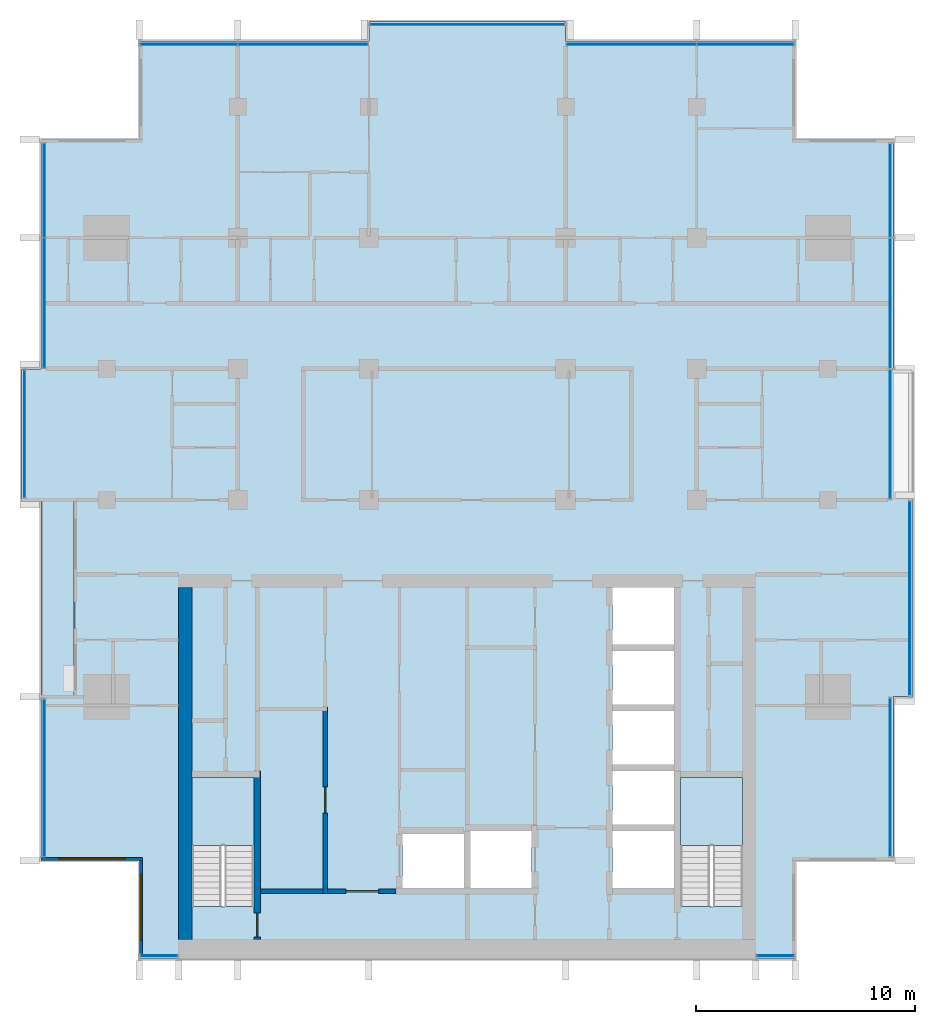
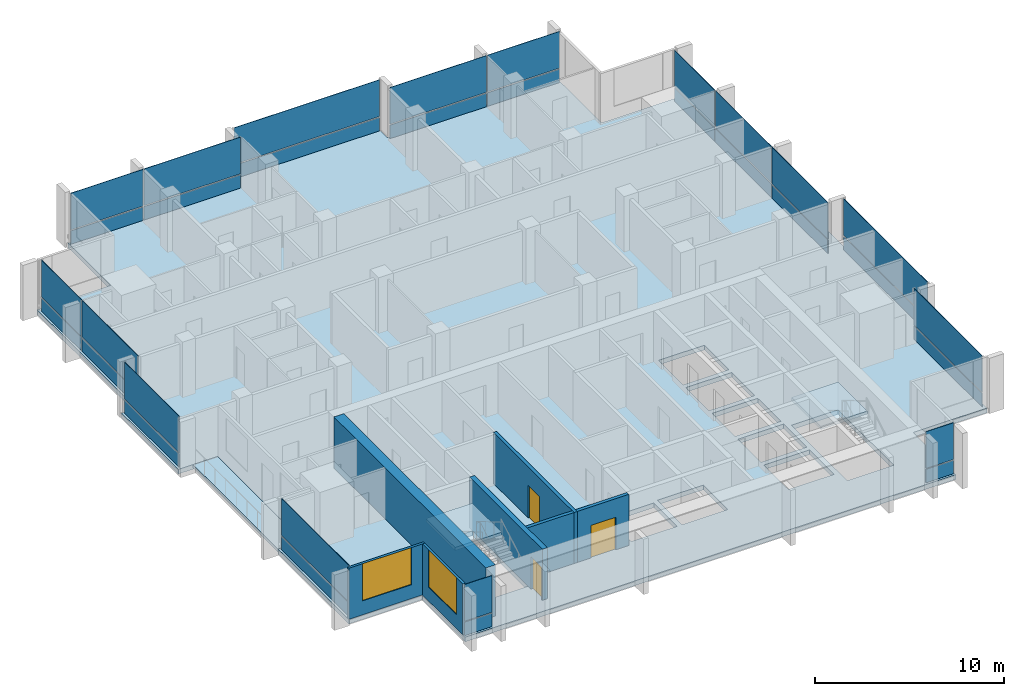
# One storey, part 6 of 16: 32 plates, 7 walls, 4 slabs, 3 doors, 2 windows, 5 openings, 13 elements without a shape of their own.
"""IFC4 building model written with IfcOpenShell, lengths in metres."""

import ifcopenshell
import ifcopenshell.guid

model = None  # the IFC model being written
_history = None  # IfcOwnerHistory: only IFC2X3 demands one
_inside = {}  # id of a spatial element -> (the spatial element, [elements in it])
_under = {}  # id of a project, library or spatial element -> (it, [spatial elements below it])
_declared = {}  # id of a project -> (the project, [libraries it declares])
_typed = {}  # id of a type object -> (the type object, [elements of that type])
_made_of = {}  # id of a material, layer set ... -> (it, [elements and type objects made of it])


def new_model(schema):
    """Start an empty IFC model of exactly this schema.

    Asked for "IFC4X3", IfcOpenShell would pick the latest addendum, in which some entities
    have other attributes; the version numbers below select the first issue.
    IFC2X3 requires an IfcOwnerHistory on every rooted entity: one is made here for all.
    """
    global model, _history
    if schema == "IFC4X3":
        model = ifcopenshell.file(schema_version=(4, 3, 0, 0))
    else:
        model = ifcopenshell.file(schema=schema)
    _inside.clear()
    _under.clear()
    _declared.clear()
    _typed.clear()
    _made_of.clear()
    _history = None
    if model.schema == "IFC2X3":
        org = make("IfcOrganization", Name="unknown")
        user = make(
            "IfcPersonAndOrganization",
            ThePerson=make("IfcPerson", FamilyName="unknown"),
            TheOrganization=org,
        )
        app = make(
            "IfcApplication",
            ApplicationDeveloper=org,
            Version="unknown",
            ApplicationFullName="unknown",
            ApplicationIdentifier="unknown",
        )
        _history = make(
            "IfcOwnerHistory",
            OwningUser=user,
            OwningApplication=app,
            ChangeAction="ADDED",
            CreationDate=0,
        )
    return model


def make(cls, **values):
    """One entity of the class cls with the attributes given. An attribute that is None is left unset."""
    return model.create_entity(
        cls, **{name: value for name, value in values.items() if value is not None}
    )


def rooted(cls, **values):
    """An entity with a GlobalId (a new one), such as an element, a storey or a relation."""
    return make(cls, GlobalId=ifcopenshell.guid.new(), OwnerHistory=_history, **values)


def si_unit(unit_type, name, prefix=None):
    """IfcSIUnit, for example si_unit("LENGTHUNIT", "METRE", prefix="MILLI")."""
    return make("IfcSIUnit", UnitType=unit_type, Prefix=prefix, Name=name)


def assignment(units):
    """IfcUnitAssignment: the units of a project."""
    return None if units is None else make("IfcUnitAssignment", Units=units)


def point(xyz):
    """IfcCartesianPoint."""
    return None if xyz is None else make("IfcCartesianPoint", Coordinates=xyz)


def direction(xyz):
    """IfcDirection."""
    return None if xyz is None else make("IfcDirection", DirectionRatios=xyz)


def frame(location, z_axis=None, x_axis=None):
    """IfcAxis2Placement3D, a coordinate frame: its origin and axes. An axis left out is left unset."""
    return make(
        "IfcAxis2Placement3D",
        Location=point(location),
        Axis=direction(z_axis),
        RefDirection=direction(x_axis),
    )


def frame_2d(location, x_axis=None):
    """IfcAxis2Placement2D, a coordinate frame in the plane: its origin and x axis."""
    return make(
        "IfcAxis2Placement2D", Location=point(location), RefDirection=direction(x_axis)
    )


def origin():
    """The frame at (0, 0, 0) with its axes left unset."""
    return frame((0.0, 0.0, 0.0))


def origin_2d():
    """The frame at (0, 0) in the plane with its x axis left unset."""
    return frame_2d((0.0, 0.0))


def place(relative_to, where):
    """IfcLocalPlacement: puts the frame where relative to a parent placement (None: the world)."""
    return make(
        "IfcLocalPlacement", PlacementRelTo=relative_to, RelativePlacement=where
    )


def context(
    kind, dimensions, precision=None, world=None, true_north=None, identifier=None
):
    """IfcGeometricRepresentationContext, for example the 3D "Model" context."""
    return make(
        "IfcGeometricRepresentationContext",
        ContextIdentifier=identifier,
        ContextType=kind,
        CoordinateSpaceDimension=dimensions,
        Precision=precision,
        WorldCoordinateSystem=world,
        TrueNorth=true_north,
    )


def subcontext(parent, identifier, kind, view, scale=None):
    """IfcGeometricRepresentationSubContext, for example "Body" below "Model"."""
    return make(
        "IfcGeometricRepresentationSubContext",
        ContextIdentifier=identifier,
        ContextType=kind,
        ParentContext=parent,
        TargetScale=scale,
        TargetView=view,
    )


def project(units=None, contexts=None):
    """IfcProject with its units and contexts."""
    return rooted(
        "IfcProject",
        Name="project",
        RepresentationContexts=contexts,
        UnitsInContext=assignment(units),
    )


def spatial(cls, under=None, at=None, **own):
    """A site, building, storey or space (cls), placed at a placement, below another one or the project."""
    s = rooted(cls, ObjectPlacement=at, **own)
    if under is not None:
        _under.setdefault(under.id(), (under, []))[1].append(s)
    return s


def polyline(points):
    """IfcPolyline through the points."""
    return make("IfcPolyline", Points=[point(p) for p in points])


def profile(cls, at=None, kind="AREA", **sizes):
    """A parametric profile (cls). Its sizes go by their IFC names, for example OverallWidth=200.0."""
    return make(cls, ProfileType=kind, Position=at, **sizes)


def rectangle(**sizes):
    """IfcRectangleProfileDef."""
    return profile("IfcRectangleProfileDef", **sizes)


def outline(outer, holes=None, kind="AREA"):
    """IfcArbitraryClosedProfileDef: a profile drawn as a closed curve; with holes, ...WithVoids."""
    if holes is None:
        return make("IfcArbitraryClosedProfileDef", ProfileType=kind, OuterCurve=outer)
    return make(
        "IfcArbitraryProfileDefWithVoids",
        ProfileType=kind,
        OuterCurve=outer,
        InnerCurves=holes,
    )


def extrude(swept, where, along, depth):
    """IfcExtrudedAreaSolid: the profile swept, set in the frame where, extruded along a direction by depth."""
    return make(
        "IfcExtrudedAreaSolid",
        SweptArea=swept,
        Position=where,
        ExtrudedDirection=direction(along),
        Depth=depth,
    )


def shape(context_of_items, identifier, shape_type, items):
    """IfcShapeRepresentation: the items that make up one representation, for example the "Body"."""
    return make(
        "IfcShapeRepresentation",
        ContextOfItems=context_of_items,
        RepresentationIdentifier=identifier,
        RepresentationType=shape_type,
        Items=items,
    )


def material(Name=None, Category=None):
    """IfcMaterial."""
    return make("IfcMaterial", Name=Name, Category=Category)


def layer(
    of_material, thickness, ventilated=None, Name=None, Category=None, Priority=None
):
    """IfcMaterialLayer: one layer of a wall or slab, of a material (None: an air gap)."""
    return make(
        "IfcMaterialLayer",
        Material=of_material,
        LayerThickness=thickness,
        IsVentilated=ventilated,
        Name=Name,
        Category=Category,
        Priority=Priority,
    )


def layer_set(layers, Name=None):
    """IfcMaterialLayerSet."""
    return make("IfcMaterialLayerSet", MaterialLayers=layers, LayerSetName=Name)


def made_of(thing, what):
    """Note that an element or type object is made of a material, layer set ...; save() writes the relation."""
    if what is not None:
        _made_of.setdefault(what.id(), (what, []))[1].append(thing)
    return thing


def type_object(cls, material=None, **own):
    """A type object (cls), such as IfcWallType, which elements share."""
    return made_of(rooted(cls, **own), material)


def element(
    cls,
    number,
    at=None,
    inside=None,
    cuts=None,
    type_object=None,
    material=None,
    context=None,
    identifier="Body",
    shape_type=None,
    held_by="IfcProductDefinitionShape",
    body=None,
    shapes=None,
    **own,
):
    """One element of the class cls, such as IfcWall. Its Tag is "e" and its number.

    at: its placement. inside: the storey or other place that contains it. cuts: it is an
    opening in that element (IfcRelVoidsElement). A single representation is given by context,
    identifier, shape_type and body (its items); several are given by shapes. held_by: the class
    of the entity that holds the representations. save() writes the other relations.
    """
    e = rooted(cls, Tag="e%d" % number, ObjectPlacement=at, **own)
    if body is not None:
        shapes = [shape(context, identifier, shape_type, body)]
    if shapes is not None:
        e.Representation = make(held_by, Representations=shapes)
    if inside is not None:
        _inside.setdefault(inside.id(), (inside, []))[1].append(e)
    if cuts is not None:
        rooted(
            "IfcRelVoidsElement", RelatingBuildingElement=cuts, RelatedOpeningElement=e
        )
    if type_object is not None:
        _typed.setdefault(type_object.id(), (type_object, []))[1].append(e)
    return made_of(e, material)


def fill(opening, filler):
    """IfcRelFillsElement: the door or window that sits in an opening."""
    return rooted(
        "IfcRelFillsElement",
        RelatingOpeningElement=opening,
        RelatedBuildingElement=filler,
    )


def aggregate(whole, parts):
    """IfcRelAggregates: a whole, such as a stair, and the parts it consists of."""
    return rooted("IfcRelAggregates", RelatingObject=whole, RelatedObjects=parts)


def save(model, path):
    """Write the relations noted so far, then the file.

    IfcRelAggregates (storeys below a building ...), IfcRelContainedInSpatialStructure (elements
    in a storey), IfcRelDefinesByType, IfcRelAssociatesMaterial and IfcRelDeclares: one each for
    every whole, place, type object, material and project.
    """
    for whole, parts in _under.values():
        aggregate(whole, parts)
    for where, things in _inside.values():
        rooted(
            "IfcRelContainedInSpatialStructure",
            RelatedElements=things,
            RelatingStructure=where,
        )
    for kind, things in _typed.values():
        rooted("IfcRelDefinesByType", RelatedObjects=things, RelatingType=kind)
    for what, things in _made_of.values():
        rooted("IfcRelAssociatesMaterial", RelatedObjects=things, RelatingMaterial=what)
    for by, libraries in _declared.values():
        rooted("IfcRelDeclares", RelatingContext=by, RelatedDefinitions=libraries)
    model.write(path)


model = new_model("IFC4")

# Units and contexts
model_context = context("Model", 3, precision=1e-05, world=origin(), true_north=direction((0.0, 1.0)))
body_context = subcontext(model_context, "Body", "Model", "MODEL_VIEW")
ifc_project = project(units=[si_unit("LENGTHUNIT", "METRE"), si_unit("AREAUNIT", "SQUARE_METRE"), si_unit("VOLUMEUNIT", "CUBIC_METRE"), si_unit("PLANEANGLEUNIT", "RADIAN"), si_unit("MASSUNIT", "GRAM", prefix="KILO")], contexts=[model_context])

# Site, building, storey
site_placement = place(None, origin())
site = spatial("IfcSite", under=ifc_project, at=site_placement, CompositionType="ELEMENT")
building_placement = place(site_placement, origin())
building = spatial("IfcBuilding", under=site, at=building_placement, Name="Finial Court Residences", CompositionType="ELEMENT")
storey_placement = place(building_placement, frame((0.0, 0.0, 215.89990234375)))
storey = spatial("IfcBuildingStorey", under=building, at=storey_placement, Name="L54", CompositionType="ELEMENT", Elevation=215.89990234375)

# Slab
ifc_material_1 = material(Name="Concrete C35/45", Category="concrete")
ifc_layer_1 = layer(ifc_material_1, 0.199951171875)
ifc_layer_set_1 = layer_set([ifc_layer_1], Name="Balcony slab, Concrete C35/45 200")
slab_type_1 = type_object("IfcSlabType", Name="Balcony slab, Concrete C35/45 200", PredefinedType="FLOOR", material=ifc_layer_set_1)
slab_1_placement = place(storey_placement, frame((0.0, 0.0, -0.199951171875)))
element("IfcSlab", 1, at=slab_1_placement, inside=storey, type_object=slab_type_1, Name="Balcony L54-W2", PredefinedType="FLOOR", context=body_context, shape_type="SweptSolid", body=[
    extrude(outline(polyline([(-18.0, -13.5), (-18.0, -4.5), (-19.5, -4.5), (-19.5, -13.5), (-18.0, -13.5)])), origin(), (0.0, 0.0, 1.0), 0.199951171875),
])

# Curtain wall, plates
ifc_material_2 = material(Name="Bronze anodised aluminium", Category="aluminium")
curtain_wall_type = type_object("IfcCurtainWallType", Name="Unitised curtain wall, upper zones", PredefinedType="NOTDEFINED", material=ifc_material_2)
curtain_wall_1_placement = place(storey_placement, origin())
curtain_wall_1 = element("IfcCurtainWall", 2, at=curtain_wall_1_placement, inside=storey, type_object=curtain_wall_type, Name="E-L54-CW-N1", PredefinedType="NOTDEFINED")
ifc_layer_2 = layer(ifc_material_2, 0.035888671875)
ifc_layer_set_2 = layer_set([ifc_layer_2], Name="CW2 spandrel panel 36")
plate_type_1 = type_object("IfcPlateType", Name="CW2 spandrel panel 36", PredefinedType="CURTAIN_PANEL", material=ifc_layer_set_2)
plate_1_placement = place(storey_placement, frame((-12.735107421875, 16.35009765625, 0.0), z_axis=(0.0, 0.0, 1.0), x_axis=(1.0, 0.0, 0.0)))
plate_1 = element("IfcPlate", 3, at=plate_1_placement, type_object=plate_type_1, Name="CW2 spandrel 1.1", PredefinedType="CURTAIN_PANEL", context=body_context, shape_type="SweptSolid", body=[
    extrude(rectangle(XDim=4.409912109375, YDim=0.035888671875, at=origin_2d()), origin(), (0.0, 0.0, 1.0), 0.8701171875),
])
plate_2_placement = place(storey_placement, frame((-7.514892578125, 16.35009765625, 0.0), z_axis=(0.0, 0.0, 1.0), x_axis=(1.0, 0.0, 0.0)))
plate_2 = element("IfcPlate", 4, at=plate_2_placement, type_object=plate_type_1, Name="CW2 spandrel 2.1", PredefinedType="CURTAIN_PANEL", context=body_context, shape_type="SweptSolid", body=[
    extrude(rectangle(XDim=5.909912109375, YDim=0.035888671875, at=origin_2d()), origin(), (0.0, 0.0, 1.0), 0.8701171875),
])

# Curtain wall, plate
curtain_wall_2_placement = place(storey_placement, origin())
curtain_wall_2 = element("IfcCurtainWall", 5, at=curtain_wall_2_placement, inside=storey, type_object=curtain_wall_type, Name="E-L54-CW-N2", PredefinedType="NOTDEFINED")
plate_3_placement = place(storey_placement, frame((0.0, 17.25, 0.0), z_axis=(0.0, 0.0, 1.0), x_axis=(1.0, 0.0, 0.0)))
plate_3 = element("IfcPlate", 6, at=plate_3_placement, type_object=plate_type_1, Name="CW2 spandrel 1.1", PredefinedType="CURTAIN_PANEL", context=body_context, shape_type="SweptSolid", body=[
    extrude(rectangle(XDim=8.8798828125, YDim=0.035888671875, at=origin_2d()), origin(), (0.0, 0.0, 1.0), 0.8701171875),
])

# Curtain wall, plates
curtain_wall_3_placement = place(storey_placement, origin())
curtain_wall_3 = element("IfcCurtainWall", 7, at=curtain_wall_3_placement, inside=storey, type_object=curtain_wall_type, Name="E-L54-CW-N3", PredefinedType="NOTDEFINED")
plate_4_placement = place(storey_placement, frame((7.514892578125, 16.35009765625, 0.0), z_axis=(0.0, 0.0, 1.0), x_axis=(1.0, 0.0, 0.0)))
plate_4 = element("IfcPlate", 8, at=plate_4_placement, type_object=plate_type_1, Name="CW2 spandrel 1.1", PredefinedType="CURTAIN_PANEL", context=body_context, shape_type="SweptSolid", body=[
    extrude(rectangle(XDim=5.909912109375, YDim=0.035888671875, at=origin_2d()), origin(), (0.0, 0.0, 1.0), 0.8701171875),
])
plate_5_placement = place(storey_placement, frame((12.735107421875, 16.35009765625, 0.0), z_axis=(0.0, 0.0, 1.0), x_axis=(1.0, 0.0, 0.0)))
plate_5 = element("IfcPlate", 9, at=plate_5_placement, type_object=plate_type_1, Name="CW2 spandrel 2.1", PredefinedType="CURTAIN_PANEL", context=body_context, shape_type="SweptSolid", body=[
    extrude(rectangle(XDim=4.409912109375, YDim=0.035888671875, at=origin_2d()), origin(), (0.0, 0.0, 1.0), 0.8701171875),
])

# Curtain wall, plate
curtain_wall_4_placement = place(storey_placement, origin())
curtain_wall_4 = element("IfcCurtainWall", 10, at=curtain_wall_4_placement, inside=storey, type_object=curtain_wall_type, Name="E-L54-CW-E4", PredefinedType="NOTDEFINED")
plate_6_placement = place(storey_placement, frame((19.35009765625, -17.175048828125, 0.0), z_axis=(0.0, 0.0, 1.0), x_axis=(0.0, 1.0, 0.0)))
plate_6 = element("IfcPlate", 11, at=plate_6_placement, type_object=plate_type_1, Name="CW2 spandrel 1.1", PredefinedType="CURTAIN_PANEL", context=body_context, shape_type="SweptSolid", body=[
    extrude(rectangle(XDim=7.22998046875, YDim=0.035888671875, at=origin_2d()), origin(), (0.0, 0.0, 1.0), 0.8701171875),
])

curtain_wall_5_placement = place(storey_placement, origin())
curtain_wall_5 = element("IfcCurtainWall", 12, at=curtain_wall_5_placement, inside=storey, type_object=curtain_wall_type, Name="E-L54-CW-E5", PredefinedType="NOTDEFINED")
plate_7_placement = place(storey_placement, frame((20.25, -9.0, 0.0), z_axis=(0.0, 0.0, 1.0), x_axis=(0.0, 1.0, 0.0)))
plate_7 = element("IfcPlate", 13, at=plate_7_placement, type_object=plate_type_1, Name="CW2 spandrel 1.1", PredefinedType="CURTAIN_PANEL", context=body_context, shape_type="SweptSolid", body=[
    extrude(rectangle(XDim=8.8798828125, YDim=0.035888671875, at=origin_2d()), origin(), (0.0, 0.0, 1.0), 0.8701171875),
])

# Curtain wall, plates
curtain_wall_6_placement = place(storey_placement, origin())
curtain_wall_6 = element("IfcCurtainWall", 14, at=curtain_wall_6_placement, inside=storey, type_object=curtain_wall_type, Name="E-L54-CW-E6", PredefinedType="NOTDEFINED")
plate_8_placement = place(storey_placement, frame((19.35009765625, -1.485107421875, 0.0), z_axis=(0.0, 0.0, 1.0), x_axis=(0.0, 1.0, 0.0)))
plate_8 = element("IfcPlate", 15, at=plate_8_placement, type_object=plate_type_1, Name="CW2 spandrel 1.1", PredefinedType="CURTAIN_PANEL", context=body_context, shape_type="SweptSolid", body=[
    extrude(rectangle(XDim=5.909912109375, YDim=0.035888671875, at=origin_2d()), origin(), (0.0, 0.0, 1.0), 0.8701171875),
])
plate_9_placement = place(storey_placement, frame((19.35009765625, 4.5, 0.0), z_axis=(0.0, 0.0, 1.0), x_axis=(0.0, 1.0, 0.0)))
plate_9 = element("IfcPlate", 16, at=plate_9_placement, type_object=plate_type_1, Name="CW2 spandrel 2.1", PredefinedType="CURTAIN_PANEL", context=body_context, shape_type="SweptSolid", body=[
    extrude(rectangle(XDim=5.93994140625, YDim=0.035888671875, at=origin_2d()), origin(), (0.0, 0.0, 1.0), 0.8701171875),
])
plate_10_placement = place(storey_placement, frame((19.35009765625, 9.659912109375, 0.0), z_axis=(0.0, 0.0, 1.0), x_axis=(0.0, 1.0, 0.0)))
plate_10 = element("IfcPlate", 17, at=plate_10_placement, type_object=plate_type_1, Name="CW2 spandrel 3.1", PredefinedType="CURTAIN_PANEL", context=body_context, shape_type="SweptSolid", body=[
    extrude(rectangle(XDim=4.260009765625, YDim=0.035888671875, at=origin_2d()), origin(), (0.0, 0.0, 1.0), 0.8701171875),
])

# Curtain wall, plate
curtain_wall_7_placement = place(storey_placement, origin())
curtain_wall_7 = element("IfcCurtainWall", 18, at=curtain_wall_7_placement, inside=storey, type_object=curtain_wall_type, Name="E-L54-CW-S7", PredefinedType="NOTDEFINED")
plate_11_placement = place(storey_placement, frame((-14.10009765625, -25.35009765625, 0.0), z_axis=(0.0, 0.0, 1.0), x_axis=(1.0, 0.0, 0.0)))
plate_11 = element("IfcPlate", 19, at=plate_11_placement, type_object=plate_type_1, Name="CW2 spandrel 1.1", PredefinedType="CURTAIN_PANEL", context=body_context, shape_type="SweptSolid", body=[
    extrude(rectangle(XDim=1.679931640625, YDim=0.035888671875, at=origin_2d()), origin(), (0.0, 0.0, 1.0), 0.8701171875),
])

curtain_wall_8_placement = place(storey_placement, origin())
curtain_wall_8 = element("IfcCurtainWall", 20, at=curtain_wall_8_placement, inside=storey, type_object=curtain_wall_type, Name="E-L54-CW-S8", PredefinedType="NOTDEFINED")
plate_12_placement = place(storey_placement, frame((14.10009765625, -25.35009765625, 0.0), z_axis=(0.0, 0.0, 1.0), x_axis=(1.0, 0.0, 0.0)))
plate_12 = element("IfcPlate", 21, at=plate_12_placement, type_object=plate_type_1, Name="CW2 spandrel 1.1", PredefinedType="CURTAIN_PANEL", context=body_context, shape_type="SweptSolid", body=[
    extrude(rectangle(XDim=1.679931640625, YDim=0.035888671875, at=origin_2d()), origin(), (0.0, 0.0, 1.0), 0.8701171875),
])

curtain_wall_9_placement = place(storey_placement, origin())
curtain_wall_9 = element("IfcCurtainWall", 22, at=curtain_wall_9_placement, inside=storey, type_object=curtain_wall_type, Name="E-L54-CW-W9", PredefinedType="NOTDEFINED")
plate_13_placement = place(storey_placement, frame((-19.35009765625, -17.21240234375, 0.0), z_axis=(0.0, 0.0, 1.0), x_axis=(0.0, 1.0, 0.0)))
plate_13 = element("IfcPlate", 23, at=plate_13_placement, type_object=plate_type_1, Name="CW2 spandrel 1.1", PredefinedType="CURTAIN_PANEL", context=body_context, shape_type="SweptSolid", body=[
    extrude(rectangle(XDim=7.155029296875, YDim=0.035888671875, at=origin_2d()), origin(), (0.0, 0.0, 1.0), 0.8701171875),
])

curtain_wall_10_placement = place(storey_placement, origin())
curtain_wall_10 = element("IfcCurtainWall", 24, at=curtain_wall_10_placement, inside=storey, type_object=curtain_wall_type, Name="E-L54-CW-W10", PredefinedType="NOTDEFINED")
plate_14_placement = place(storey_placement, frame((-20.25, -1.46240234375, 0.0), z_axis=(0.0, 0.0, 1.0), x_axis=(0.0, 1.0, 0.0)))
plate_14 = element("IfcPlate", 25, at=plate_14_placement, type_object=plate_type_1, Name="CW2 spandrel 1.1", PredefinedType="CURTAIN_PANEL", context=body_context, shape_type="SweptSolid", body=[
    extrude(rectangle(XDim=5.804931640625, YDim=0.035888671875, at=origin_2d()), origin(), (0.0, 0.0, 1.0), 0.8701171875),
])

# Curtain wall, plates
curtain_wall_11_placement = place(storey_placement, origin())
curtain_wall_11 = element("IfcCurtainWall", 26, at=curtain_wall_11_placement, inside=storey, type_object=curtain_wall_type, Name="E-L54-CW-W11", PredefinedType="NOTDEFINED")
plate_15_placement = place(storey_placement, frame((-19.35009765625, 4.514892578125, 0.0), z_axis=(0.0, 0.0, 1.0), x_axis=(0.0, 1.0, 0.0)))
plate_15 = element("IfcPlate", 27, at=plate_15_placement, type_object=plate_type_1, Name="CW2 spandrel 1.1", PredefinedType="CURTAIN_PANEL", context=body_context, shape_type="SweptSolid", body=[
    extrude(rectangle(XDim=5.909912109375, YDim=0.035888671875, at=origin_2d()), origin(), (0.0, 0.0, 1.0), 0.8701171875),
])
plate_16_placement = place(storey_placement, frame((-19.35009765625, 9.659912109375, 0.0), z_axis=(0.0, 0.0, 1.0), x_axis=(0.0, 1.0, 0.0)))
plate_16 = element("IfcPlate", 28, at=plate_16_placement, type_object=plate_type_1, Name="CW2 spandrel 2.1", PredefinedType="CURTAIN_PANEL", context=body_context, shape_type="SweptSolid", body=[
    extrude(rectangle(XDim=4.260009765625, YDim=0.035888671875, at=origin_2d()), origin(), (0.0, 0.0, 1.0), 0.8701171875),
])

# Plate
ifc_material_3 = material(Name="Clear low-e glass", Category="glass")
ifc_layer_3 = layer(ifc_material_3, 0.030029296875)
ifc_layer_set_3 = layer_set([ifc_layer_3], Name="CW2 vision glass 30")
plate_type_2 = type_object("IfcPlateType", Name="CW2 vision glass 30", PredefinedType="CURTAIN_PANEL", material=ifc_layer_set_3)
plate_17_placement = place(storey_placement, frame((-12.735107421875, 16.35009765625, 0.929931640625), z_axis=(0.0, 0.0, 1.0), x_axis=(1.0, 0.0, 0.0)))
plate_17 = element("IfcPlate", 29, at=plate_17_placement, type_object=plate_type_2, Name="CW2 glass 1.2", PredefinedType="CURTAIN_PANEL", context=body_context, shape_type="SweptSolid", body=[
    extrude(rectangle(XDim=4.409912109375, YDim=0.030029296875, at=origin_2d()), origin(), (0.0, 0.0, 1.0), 2.3701171875),
])

plate_18_placement = place(storey_placement, frame((-7.514892578125, 16.35009765625, 0.929931640625), z_axis=(0.0, 0.0, 1.0), x_axis=(1.0, 0.0, 0.0)))
plate_18 = element("IfcPlate", 30, at=plate_18_placement, type_object=plate_type_2, Name="CW2 glass 2.2", PredefinedType="CURTAIN_PANEL", context=body_context, shape_type="SweptSolid", body=[
    extrude(rectangle(XDim=5.909912109375, YDim=0.030029296875, at=origin_2d()), origin(), (0.0, 0.0, 1.0), 2.3701171875),
])

aggregate(curtain_wall_1, [plate_1, plate_17, plate_2, plate_18])

plate_19_placement = place(storey_placement, frame((0.0, 17.25, 0.929931640625), z_axis=(0.0, 0.0, 1.0), x_axis=(1.0, 0.0, 0.0)))
plate_19 = element("IfcPlate", 31, at=plate_19_placement, type_object=plate_type_2, Name="CW2 glass 1.2", PredefinedType="CURTAIN_PANEL", context=body_context, shape_type="SweptSolid", body=[
    extrude(rectangle(XDim=8.8798828125, YDim=0.030029296875, at=origin_2d()), origin(), (0.0, 0.0, 1.0), 2.3701171875),
])

aggregate(curtain_wall_2, [plate_3, plate_19])

plate_20_placement = place(storey_placement, frame((7.514892578125, 16.35009765625, 0.929931640625), z_axis=(0.0, 0.0, 1.0), x_axis=(1.0, 0.0, 0.0)))
plate_20 = element("IfcPlate", 32, at=plate_20_placement, type_object=plate_type_2, Name="CW2 glass 1.2", PredefinedType="CURTAIN_PANEL", context=body_context, shape_type="SweptSolid", body=[
    extrude(rectangle(XDim=5.909912109375, YDim=0.030029296875, at=origin_2d()), origin(), (0.0, 0.0, 1.0), 2.3701171875),
])

plate_21_placement = place(storey_placement, frame((12.735107421875, 16.35009765625, 0.929931640625), z_axis=(0.0, 0.0, 1.0), x_axis=(1.0, 0.0, 0.0)))
plate_21 = element("IfcPlate", 33, at=plate_21_placement, type_object=plate_type_2, Name="CW2 glass 2.2", PredefinedType="CURTAIN_PANEL", context=body_context, shape_type="SweptSolid", body=[
    extrude(rectangle(XDim=4.409912109375, YDim=0.030029296875, at=origin_2d()), origin(), (0.0, 0.0, 1.0), 2.3701171875),
])

aggregate(curtain_wall_3, [plate_4, plate_20, plate_5, plate_21])

plate_22_placement = place(storey_placement, frame((19.35009765625, -17.175048828125, 0.929931640625), z_axis=(0.0, 0.0, 1.0), x_axis=(0.0, 1.0, 0.0)))
plate_22 = element("IfcPlate", 34, at=plate_22_placement, type_object=plate_type_2, Name="CW2 glass 1.2", PredefinedType="CURTAIN_PANEL", context=body_context, shape_type="SweptSolid", body=[
    extrude(rectangle(XDim=7.22998046875, YDim=0.030029296875, at=origin_2d()), origin(), (0.0, 0.0, 1.0), 2.3701171875),
])

aggregate(curtain_wall_4, [plate_6, plate_22])

plate_23_placement = place(storey_placement, frame((20.25, -9.0, 0.929931640625), z_axis=(0.0, 0.0, 1.0), x_axis=(0.0, 1.0, 0.0)))
plate_23 = element("IfcPlate", 35, at=plate_23_placement, type_object=plate_type_2, Name="CW2 glass 1.2", PredefinedType="CURTAIN_PANEL", context=body_context, shape_type="SweptSolid", body=[
    extrude(rectangle(XDim=8.8798828125, YDim=0.030029296875, at=origin_2d()), origin(), (0.0, 0.0, 1.0), 2.3701171875),
])

aggregate(curtain_wall_5, [plate_7, plate_23])

plate_24_placement = place(storey_placement, frame((19.35009765625, -1.485107421875, 0.929931640625), z_axis=(0.0, 0.0, 1.0), x_axis=(0.0, 1.0, 0.0)))
plate_24 = element("IfcPlate", 36, at=plate_24_placement, type_object=plate_type_2, Name="CW2 glass 1.2", PredefinedType="CURTAIN_PANEL", context=body_context, shape_type="SweptSolid", body=[
    extrude(rectangle(XDim=5.909912109375, YDim=0.030029296875, at=origin_2d()), origin(), (0.0, 0.0, 1.0), 2.3701171875),
])

plate_25_placement = place(storey_placement, frame((19.35009765625, 4.5, 0.929931640625), z_axis=(0.0, 0.0, 1.0), x_axis=(0.0, 1.0, 0.0)))
plate_25 = element("IfcPlate", 37, at=plate_25_placement, type_object=plate_type_2, Name="CW2 glass 2.2", PredefinedType="CURTAIN_PANEL", context=body_context, shape_type="SweptSolid", body=[
    extrude(rectangle(XDim=5.93994140625, YDim=0.030029296875, at=origin_2d()), origin(), (0.0, 0.0, 1.0), 2.3701171875),
])

plate_26_placement = place(storey_placement, frame((19.35009765625, 9.659912109375, 0.929931640625), z_axis=(0.0, 0.0, 1.0), x_axis=(0.0, 1.0, 0.0)))
plate_26 = element("IfcPlate", 38, at=plate_26_placement, type_object=plate_type_2, Name="CW2 glass 3.2", PredefinedType="CURTAIN_PANEL", context=body_context, shape_type="SweptSolid", body=[
    extrude(rectangle(XDim=4.260009765625, YDim=0.030029296875, at=origin_2d()), origin(), (0.0, 0.0, 1.0), 2.3701171875),
])

aggregate(curtain_wall_6, [plate_8, plate_24, plate_9, plate_25, plate_10, plate_26])

plate_27_placement = place(storey_placement, frame((-14.10009765625, -25.35009765625, 0.929931640625), z_axis=(0.0, 0.0, 1.0), x_axis=(1.0, 0.0, 0.0)))
plate_27 = element("IfcPlate", 39, at=plate_27_placement, type_object=plate_type_2, Name="CW2 glass 1.2", PredefinedType="CURTAIN_PANEL", context=body_context, shape_type="SweptSolid", body=[
    extrude(rectangle(XDim=1.679931640625, YDim=0.030029296875, at=origin_2d()), origin(), (0.0, 0.0, 1.0), 2.3701171875),
])

aggregate(curtain_wall_7, [plate_11, plate_27])

plate_28_placement = place(storey_placement, frame((14.10009765625, -25.35009765625, 0.929931640625), z_axis=(0.0, 0.0, 1.0), x_axis=(1.0, 0.0, 0.0)))
plate_28 = element("IfcPlate", 40, at=plate_28_placement, type_object=plate_type_2, Name="CW2 glass 1.2", PredefinedType="CURTAIN_PANEL", context=body_context, shape_type="SweptSolid", body=[
    extrude(rectangle(XDim=1.679931640625, YDim=0.030029296875, at=origin_2d()), origin(), (0.0, 0.0, 1.0), 2.3701171875),
])

aggregate(curtain_wall_8, [plate_12, plate_28])

plate_29_placement = place(storey_placement, frame((-19.35009765625, -17.21240234375, 0.929931640625), z_axis=(0.0, 0.0, 1.0), x_axis=(0.0, 1.0, 0.0)))
plate_29 = element("IfcPlate", 41, at=plate_29_placement, type_object=plate_type_2, Name="CW2 glass 1.2", PredefinedType="CURTAIN_PANEL", context=body_context, shape_type="SweptSolid", body=[
    extrude(rectangle(XDim=7.155029296875, YDim=0.030029296875, at=origin_2d()), origin(), (0.0, 0.0, 1.0), 2.3701171875),
])

aggregate(curtain_wall_9, [plate_13, plate_29])

plate_30_placement = place(storey_placement, frame((-20.25, -1.46240234375, 0.929931640625), z_axis=(0.0, 0.0, 1.0), x_axis=(0.0, 1.0, 0.0)))
plate_30 = element("IfcPlate", 42, at=plate_30_placement, type_object=plate_type_2, Name="CW2 glass 1.2", PredefinedType="CURTAIN_PANEL", context=body_context, shape_type="SweptSolid", body=[
    extrude(rectangle(XDim=5.804931640625, YDim=0.030029296875, at=origin_2d()), origin(), (0.0, 0.0, 1.0), 2.3701171875),
])

aggregate(curtain_wall_10, [plate_14, plate_30])

plate_31_placement = place(storey_placement, frame((-19.35009765625, 4.514892578125, 0.929931640625), z_axis=(0.0, 0.0, 1.0), x_axis=(0.0, 1.0, 0.0)))
plate_31 = element("IfcPlate", 43, at=plate_31_placement, type_object=plate_type_2, Name="CW2 glass 1.2", PredefinedType="CURTAIN_PANEL", context=body_context, shape_type="SweptSolid", body=[
    extrude(rectangle(XDim=5.909912109375, YDim=0.030029296875, at=origin_2d()), origin(), (0.0, 0.0, 1.0), 2.3701171875),
])

plate_32_placement = place(storey_placement, frame((-19.35009765625, 9.659912109375, 0.929931640625), z_axis=(0.0, 0.0, 1.0), x_axis=(0.0, 1.0, 0.0)))
plate_32 = element("IfcPlate", 44, at=plate_32_placement, type_object=plate_type_2, Name="CW2 glass 2.2", PredefinedType="CURTAIN_PANEL", context=body_context, shape_type="SweptSolid", body=[
    extrude(rectangle(XDim=4.260009765625, YDim=0.030029296875, at=origin_2d()), origin(), (0.0, 0.0, 1.0), 2.3701171875),
])

aggregate(curtain_wall_11, [plate_15, plate_31, plate_16, plate_32])

# Stair, slab
ifc_material_4 = material(Name="Concrete C50/60", Category="concrete")
stair_type = type_object("IfcStairType", Name="Exit stair 22 risers of 163.6 mm", PredefinedType="HALF_TURN_STAIR", material=ifc_material_4)
stair_1_placement = place(storey_placement, origin())
stair_1 = element("IfcStair", 45, at=stair_1_placement, inside=storey, type_object=stair_type, Name="L54 Exit stair ST-1", PredefinedType="HALF_TURN_STAIR")
ifc_layer_4 = layer(ifc_material_4, 0.199951171875)
ifc_layer_set_4 = layer_set([ifc_layer_4], Name="Exit stair landing")
slab_type_2 = type_object("IfcSlabType", Name="Exit stair landing", PredefinedType="LANDING", material=ifc_layer_set_4)
slab_2_placement = place(storey_placement, frame((0.0, 0.0, 1.60009765625)))
slab_2 = element("IfcSlab", 46, at=slab_2_placement, type_object=slab_type_2, Name="ST-1 landing 1", PredefinedType="LANDING", context=body_context, shape_type="SweptSolid", body=[
    extrude(outline(polyline([(-9.75, -20.300048828125), (-9.75, -17.199951171875), (-12.60009765625, -17.199951171875), (-12.60009765625, -20.300048828125), (-9.75, -20.300048828125)])), origin(), (0.0, 0.0, 1.0), 0.199951171875),
])
aggregate(stair_1, [slab_2])

stair_2_placement = place(storey_placement, origin())
stair_2 = element("IfcStair", 47, at=stair_2_placement, inside=storey, type_object=stair_type, Name="L54 Exit stair ST-2", PredefinedType="HALF_TURN_STAIR")
slab_3_placement = place(storey_placement, frame((0.0, 0.0, 1.60009765625)))
slab_3 = element("IfcSlab", 48, at=slab_3_placement, type_object=slab_type_2, Name="ST-2 landing 1", PredefinedType="LANDING", context=body_context, shape_type="SweptSolid", body=[
    extrude(outline(polyline([(12.60009765625, -20.300048828125), (12.60009765625, -17.199951171875), (9.75, -17.199951171875), (9.75, -20.300048828125), (12.60009765625, -20.300048828125)])), origin(), (0.0, 0.0, 1.0), 0.199951171875),
])
aggregate(stair_2, [slab_3])

# Slab
ifc_material_5 = material(Name="Concrete C40/50", Category="concrete")
ifc_layer_5 = layer(ifc_material_5, 0.300048828125)
ifc_layer_set_5 = layer_set([ifc_layer_5], Name="Flat plate slab 300 Concrete C40/50")
slab_type_3 = type_object("IfcSlabType", Name="Flat plate slab 300 Concrete C40/50", PredefinedType="FLOOR", material=ifc_layer_set_5)
slab_4_placement = place(storey_placement, frame((0.0, 0.0, -0.2998046875)))
element("IfcSlab", 49, at=slab_4_placement, inside=storey, type_object=slab_type_3, Name="S:SLAB:L54", PredefinedType="FLOOR", context=body_context, shape_type="SweptSolid", body=[
    extrude(outline(polyline([(15.0, -25.5), (-15.0, -25.5), (-15.0, -21.0), (-19.5, -21.0), (-19.5, -13.5), (-18.0, -13.5), (-18.0, -4.5), (-19.5, -4.5), (-20.39990234375, -4.5), (-20.39990234375, 1.5), (-19.5, 1.5), (-19.5, 12.0), (-15.0, 12.0), (-15.0, 16.5), (-4.5, 16.5), (-4.5, 17.39990234375), (4.5, 17.39990234375), (4.5, 16.5), (15.0, 16.5), (15.0, 12.0), (19.5, 12.0), (19.5, 1.5), (20.39990234375, 1.5), (20.39990234375, -4.5), (20.39990234375, -13.5), (19.5, -13.5), (19.5, -21.0), (15.0, -21.0), (15.0, -25.5)]), holes=[polyline([(-0.14990234375, -19.77001953125), (-2.949951171875, -19.77001953125), (-2.949951171875, -22.25), (-0.14990234375, -22.25), (-0.14990234375, -19.77001953125)]), polyline([(2.949951171875, -19.64990234375), (0.14990234375, -19.64990234375), (0.14990234375, -22.25), (2.949951171875, -22.25), (2.949951171875, -19.64990234375)]), polyline([(9.449951171875, -19.64990234375), (6.64990234375, -19.64990234375), (6.64990234375, -22.25), (9.449951171875, -22.25), (9.449951171875, -19.64990234375)]), polyline([(-12.60009765625, -17.199951171875), (-12.60009765625, -23.09912109375), (-9.75, -23.09912109375), (-9.75, -17.199951171875), (-12.60009765625, -17.199951171875)]), polyline([(9.75, -17.199951171875), (9.75, -23.09912109375), (12.60009765625, -23.09912109375), (12.60009765625, -17.199951171875), (9.75, -17.199951171875)]), polyline([(9.449951171875, -16.89990234375), (6.64990234375, -16.89990234375), (6.64990234375, -19.35009765625), (9.449951171875, -19.35009765625), (9.449951171875, -16.89990234375)]), polyline([(9.449951171875, -14.14990234375), (6.64990234375, -14.14990234375), (6.64990234375, -16.60009765625), (9.449951171875, -16.60009765625), (9.449951171875, -14.14990234375)]), polyline([(9.449951171875, -13.85009765625), (9.449951171875, -11.39990234375), (6.64990234375, -11.39990234375), (6.64990234375, -13.85009765625), (9.449951171875, -13.85009765625)]), polyline([(9.449951171875, -11.10009765625), (9.449951171875, -8.5), (6.64990234375, -8.5), (6.64990234375, -11.10009765625), (9.449951171875, -11.10009765625)])]), origin(), (0.0, 0.0, 1.0), 0.2998046875),
])

# Wall
ifc_material_6 = material(Name="Concrete C60/75", Category="concrete")
ifc_layer_6 = layer(ifc_material_6, 0.60009765625)
ifc_layer_set_6 = layer_set([ifc_layer_6], Name="Core outer wall 600 Concrete C60/75")
wall_type_1 = type_object("IfcWallType", Name="Core outer wall 600 Concrete C60/75", PredefinedType="SHEAR", material=ifc_layer_set_6)
wall_1_placement = place(storey_placement, frame((-12.89990234375, -24.60009765625, 0.0), z_axis=(0.0, 0.0, 1.0), x_axis=(0.0, 1.0, 0.0)))
element("IfcWall", 50, at=wall_1_placement, inside=storey, type_object=wall_type_1, Name="Core outer wall L54-03", PredefinedType="SHEAR", context=body_context, shape_type="SweptSolid", body=[
    extrude(rectangle(XDim=16.10009765625, YDim=0.60009765625, at=frame_2d((8.050048828125, 0.0))), origin(), (0.0, 0.0, 1.0), 3.300048828125),
])

# Wall, opening, door
ifc_layer_7 = layer(ifc_material_6, 0.300048828125)
ifc_layer_set_7 = layer_set([ifc_layer_7], Name="Lift shaft and stair wall 300 Concrete C60/75")
wall_type_2 = type_object("IfcWallType", Name="Lift shaft and stair wall 300 Concrete C60/75", PredefinedType="SHEAR", material=ifc_layer_set_7)
wall_2_placement = place(storey_placement, frame((-9.60009765625, -24.60009765625, 0.0), z_axis=(0.0, 0.0, 1.0), x_axis=(0.0, 1.0, 0.0)))
wall_2 = element("IfcWall", 51, at=wall_2_placement, inside=storey, type_object=wall_type_2, Name="Core wall L54-21", PredefinedType="SHEAR", context=body_context, shape_type="SweptSolid", body=[
    extrude(rectangle(XDim=7.7001953125, YDim=0.300048828125, at=frame_2d((3.85009765625, 0.0))), origin(), (0.0, 0.0, 1.0), 3.300048828125),
])
opening_1_placement = place(wall_2_placement, frame((0.10009765625, 0.0, 0.0)))
opening_1 = element("IfcOpeningElement", 52, at=opening_1_placement, cuts=wall_2, Name="Opening L54-C19", PredefinedType="OPENING", context=body_context, shape_type="SweptSolid", body=[
    extrude(rectangle(XDim=1.10009765625, YDim=2.10009765625, at=frame_2d((0.550048828125, 1.050048828125))), frame((0.0, 0.159912109375, 0.0), z_axis=(0.0, -1.0, 0.0), x_axis=(1.0, 0.0, 0.0)), (0.0, 0.0, 1.0), 0.320068359375),
])
ifc_material_7 = material(Name="Steel fire door", Category="steel")
door_type_1 = type_object("IfcDoorType", Name="Stair door 1100 x 2100 EI 90", OperationType="NOTDEFINED", PredefinedType="DOOR", material=ifc_material_7)
door_1_placement = place(opening_1_placement, origin())
door_1 = element("IfcDoor", 53, at=door_1_placement, inside=storey, type_object=door_type_1, Name="Stair door L54-C19", OperationType="SINGLE_SWING_LEFT", OverallHeight=2.10009765625, OverallWidth=1.10009765625, PredefinedType="DOOR", context=body_context, shape_type="SweptSolid", body=[
    extrude(rectangle(XDim=1.10009765625, YDim=2.10009765625, at=frame_2d((0.550048828125, 1.050048828125))), frame((0.0, 0.02490234375, 0.0), z_axis=(0.0, -1.0, 0.0), x_axis=(1.0, 0.0, 0.0)), (0.0, 0.0, 1.0), 0.050048828125),
])
fill(opening_1, door_1)

# Wall, opening, window
ifc_material_8 = material(Name="Natural limestone", Category="masonry")
ifc_layer_8 = layer(ifc_material_8, 0.14990234375)
ifc_layer_set_8 = layer_set([ifc_layer_8], Name="Limestone clad wall 150")
wall_type_3 = type_object("IfcWallType", Name="Limestone clad wall 150", PredefinedType="SOLIDWALL", material=ifc_layer_set_8)
wall_3_placement = place(storey_placement, frame((-14.925048828125, -25.262451171875, 0.0), z_axis=(0.0, 0.0, 1.0), x_axis=(0.0, 1.0, 0.0)))
wall_3 = element("IfcWall", 54, at=wall_3_placement, inside=storey, type_object=wall_type_3, Name="E-L54-NWW12", PredefinedType="SOLIDWALL", context=body_context, shape_type="SweptSolid", body=[
    extrude(rectangle(XDim=4.262451171875, YDim=0.14990234375, at=frame_2d((2.13134765625, 0.0))), origin(), (0.0, 0.0, 1.0), 3.300048828125),
])
opening_2_placement = place(wall_3_placement, frame((0.631103515625, 0.0, 0.89990234375)))
opening_2 = element("IfcOpeningElement", 55, at=opening_2_placement, cuts=wall_3, Name="Opening WE54-01", PredefinedType="OPENING", context=body_context, shape_type="SweptSolid", body=[
    extrude(rectangle(XDim=3.0, YDim=2.39990234375, at=frame_2d((1.5, 1.199951171875))), frame((0.0, 0.0849609375, 0.0), z_axis=(0.0, -1.0, 0.0), x_axis=(1.0, 0.0, 0.0)), (0.0, 0.0, 1.0), 0.169921875),
])
window_type = type_object("IfcWindowType", Name="Corner window 3000 x 2400", PartitioningType="SINGLE_PANEL", PredefinedType="WINDOW", material=ifc_material_3)
window_1_placement = place(opening_2_placement, origin())
window_1 = element("IfcWindow", 56, at=window_1_placement, inside=storey, type_object=window_type, Name="E-L54-NWW12-W1", OverallHeight=2.39990234375, OverallWidth=3.0, PartitioningType="SINGLE_PANEL", PredefinedType="WINDOW", context=body_context, shape_type="SweptSolid", body=[
    extrude(rectangle(XDim=3.0, YDim=2.39990234375, at=frame_2d((1.5, 1.199951171875))), frame((0.0, 0.030029296875, 0.0), z_axis=(0.0, -1.0, 0.0), x_axis=(1.0, 0.0, 0.0)), (0.0, 0.0, 1.0), 0.06005859375),
])
fill(opening_2, window_1)

wall_4_placement = place(storey_placement, frame((-14.85009765625, -20.925048828125, 0.0), z_axis=(0.0, 0.0, 1.0), x_axis=(-1.0, 0.0, 0.0)))
wall_4 = element("IfcWall", 57, at=wall_4_placement, inside=storey, type_object=wall_type_3, Name="E-L54-NWS13", PredefinedType="SOLIDWALL", context=body_context, shape_type="SweptSolid", body=[
    extrude(rectangle(XDim=4.64990234375, YDim=0.14990234375, at=frame_2d((2.324951171875, 0.0))), origin(), (0.0, 0.0, 1.0), 3.300048828125),
])
opening_3_placement = place(wall_4_placement, frame((0.824951171875, 0.0, 0.89990234375)))
opening_3 = element("IfcOpeningElement", 58, at=opening_3_placement, cuts=wall_4, Name="Opening WE54-02", PredefinedType="OPENING", context=body_context, shape_type="SweptSolid", body=[
    extrude(rectangle(XDim=3.0, YDim=2.39990234375, at=frame_2d((1.5, 1.199951171875))), frame((0.0, 0.0849609375, 0.0), z_axis=(0.0, -1.0, 0.0), x_axis=(1.0, 0.0, 0.0)), (0.0, 0.0, 1.0), 0.169921875),
])
window_2_placement = place(opening_3_placement, origin())
window_2 = element("IfcWindow", 59, at=window_2_placement, inside=storey, type_object=window_type, Name="E-L54-NWS13-W1", OverallHeight=2.39990234375, OverallWidth=3.0, PartitioningType="SINGLE_PANEL", PredefinedType="WINDOW", context=body_context, shape_type="SweptSolid", body=[
    extrude(rectangle(XDim=3.0, YDim=2.39990234375, at=frame_2d((1.5, 1.199951171875))), frame((0.0, 0.030029296875, 0.0), z_axis=(0.0, -1.0, 0.0), x_axis=(1.0, 0.0, 0.0)), (0.0, 0.0, 1.0), 0.06005859375),
])
fill(opening_3, window_2)

# Wall
ifc_material_9 = material(Name="Fire-rated gypsum board partition")
ifc_layer_9 = layer(ifc_material_9, 0.199951171875)
ifc_layer_set_9 = layer_set([ifc_layer_9], Name="Riser room wall 200 EI 120")
wall_type_4 = type_object("IfcWallType", Name="Riser room wall 200 EI 120", PredefinedType="PARTITIONING", material=ifc_layer_set_9)
wall_5_placement = place(storey_placement, frame((-9.449951171875, -22.39990234375, 0.0), z_axis=(0.0, 0.0, 1.0), x_axis=(1.0, 0.0, 0.0)))
element("IfcWall", 60, at=wall_5_placement, inside=storey, type_object=wall_type_4, Name="Core partition L54-01", PredefinedType="PARTITIONING", context=body_context, shape_type="SweptSolid", body=[
    extrude(rectangle(XDim=2.849853515625, YDim=0.199951171875, at=frame_2d((1.4248046875, 0.0))), origin(), (0.0, 0.0, 1.0), 3.300048828125),
])

# Wall, opening, door
wall_6_placement = place(storey_placement, frame((-6.5, -22.5, 0.0), z_axis=(0.0, 0.0, 1.0), x_axis=(0.0, 1.0, 0.0)))
wall_6 = element("IfcWall", 61, at=wall_6_placement, inside=storey, type_object=wall_type_4, Name="Core partition L54-24", PredefinedType="PARTITIONING", context=body_context, shape_type="SweptSolid", body=[
    extrude(rectangle(XDim=8.5400390625, YDim=0.199951171875, at=frame_2d((4.27001953125, 0.0))), origin(), (0.0, 0.0, 1.0), 3.300048828125),
])
opening_4_placement = place(wall_6_placement, frame((3.669921875, 0.0, 0.0)))
opening_4 = element("IfcOpeningElement", 62, at=opening_4_placement, cuts=wall_6, Name="Opening L54-C09", PredefinedType="OPENING", context=body_context, shape_type="SweptSolid", body=[
    extrude(rectangle(XDim=1.199951171875, YDim=2.10009765625, at=frame_2d((0.60009765625, 1.050048828125))), frame((0.0, 0.10986328125, 0.0), z_axis=(0.0, -1.0, 0.0), x_axis=(1.0, 0.0, 0.0)), (0.0, 0.0, 1.0), 0.219970703125),
])
door_type_2 = type_object("IfcDoorType", Name="Riser room door 1200 x 2100 EI 90", OperationType="NOTDEFINED", PredefinedType="DOOR", material=ifc_material_7)
door_2_placement = place(opening_4_placement, origin())
door_2 = element("IfcDoor", 63, at=door_2_placement, inside=storey, type_object=door_type_2, Name="Riser room door L54-C09", OperationType="SINGLE_SWING_LEFT", OverallHeight=2.10009765625, OverallWidth=1.199951171875, PredefinedType="DOOR", context=body_context, shape_type="SweptSolid", body=[
    extrude(rectangle(XDim=1.199951171875, YDim=2.10009765625, at=frame_2d((0.60009765625, 1.050048828125))), frame((0.0, 0.02490234375, 0.0), z_axis=(0.0, -1.0, 0.0), x_axis=(1.0, 0.0, 0.0)), (0.0, 0.0, 1.0), 0.050048828125),
])
fill(opening_4, door_2)

ifc_layer_10 = layer(ifc_material_9, 0.199951171875)
ifc_layer_set_10 = layer_set([ifc_layer_10], Name="Stair passage wall 200 EI 180")
wall_type_5 = type_object("IfcWallType", Name="Stair passage wall 200 EI 180", PredefinedType="PARTITIONING", material=ifc_layer_set_10)
wall_7_placement = place(storey_placement, frame((-3.25, -22.39990234375, 0.0), z_axis=(0.0, 0.0, 1.0), x_axis=(-1.0, 0.0, 0.0)))
wall_7 = element("IfcWall", 64, at=wall_7_placement, inside=storey, type_object=wall_type_5, Name="Core partition L54-02", PredefinedType="PARTITIONING", context=body_context, shape_type="SweptSolid", body=[
    extrude(rectangle(XDim=3.14990234375, YDim=0.199951171875, at=frame_2d((1.574951171875, 0.0))), origin(), (0.0, 0.0, 1.0), 3.300048828125),
])
opening_5_placement = place(wall_7_placement, frame((0.800048828125, 0.0, 0.0)))
opening_5 = element("IfcOpeningElement", 65, at=opening_5_placement, cuts=wall_7, Name="Opening L54-C03", PredefinedType="OPENING", context=body_context, shape_type="SweptSolid", body=[
    extrude(rectangle(XDim=1.5, YDim=2.10009765625, at=frame_2d((0.75, 1.050048828125))), frame((0.0, 0.10986328125, 0.0), z_axis=(0.0, -1.0, 0.0), x_axis=(1.0, 0.0, 0.0)), (0.0, 0.0, 1.0), 0.219970703125),
])
door_type_3 = type_object("IfcDoorType", Name="Lift lobby door 1500 x 2100 EI 60", OperationType="DOUBLE_DOOR_SINGLE_SWING", PredefinedType="DOOR", material=ifc_material_7)
door_3_placement = place(opening_5_placement, origin())
door_3 = element("IfcDoor", 66, at=door_3_placement, inside=storey, type_object=door_type_3, Name="Lift lobby door L54-C03", OperationType="DOUBLE_DOOR_SINGLE_SWING", OverallHeight=2.10009765625, OverallWidth=1.5, PredefinedType="DOOR", context=body_context, shape_type="SweptSolid", body=[
    extrude(rectangle(XDim=1.5, YDim=2.10009765625, at=frame_2d((0.75, 1.050048828125))), frame((0.0, 0.02490234375, 0.0), z_axis=(0.0, -1.0, 0.0), x_axis=(1.0, 0.0, 0.0)), (0.0, 0.0, 1.0), 0.050048828125),
])
fill(opening_5, door_3)

save(model, "model.ifc")
